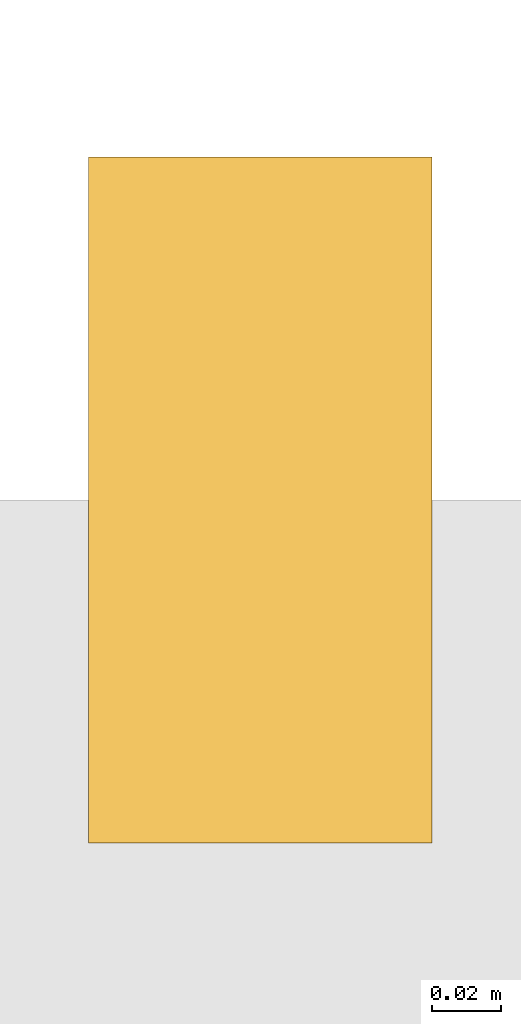
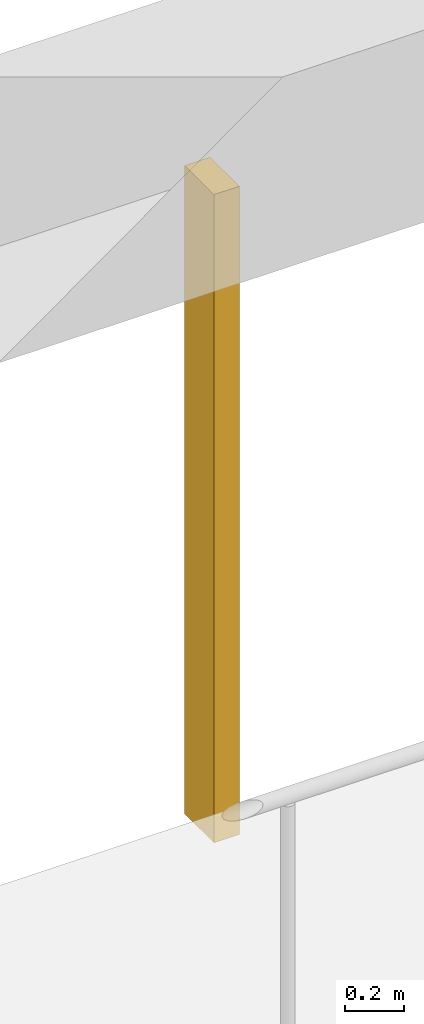
# One storey, part 15 of 19: 1 shading device.
"""IFC4 building model written with IfcOpenShell, lengths in metres."""

from ifc_helpers import new_model, si_unit, direction, frame, origin, origin_2d, place, context, subcontext, project, spatial, rectangle, extrude, material, material_profile, profile_set, type_object, element, save


model = new_model("IFC4")

# Units and contexts
model_context = context("Model", 3, precision=1e-05, world=origin(), true_north=direction((0.0, 1.0)))
body_context = subcontext(model_context, "Body", "Model", "MODEL_VIEW")
ifc_project = project(units=[si_unit("LENGTHUNIT", "METRE"), si_unit("AREAUNIT", "SQUARE_METRE"), si_unit("VOLUMEUNIT", "CUBIC_METRE"), si_unit("PLANEANGLEUNIT", "RADIAN"), si_unit("MASSUNIT", "GRAM", prefix="KILO")], contexts=[model_context])

# Site, building, storey
site_placement = place(None, origin())
site = spatial("IfcSite", under=ifc_project, at=site_placement, CompositionType="ELEMENT")
building_placement = place(site_placement, origin())
building = spatial("IfcBuilding", under=site, at=building_placement, Name="Vermilion Gate Residences", CompositionType="ELEMENT")
storey_placement = place(building_placement, frame((0.0, 0.0, 49.699951171875)))
storey = spatial("IfcBuildingStorey", under=building, at=storey_placement, Name="L11", CompositionType="ELEMENT", Elevation=49.699951171875)

# Shading device
ifc_material = material(Name="Extruded terracotta", Category="masonry")
ifc_material_profile = material_profile(ifc_material, rectangle(XDim=0.199951171875, YDim=0.10009765625, at=origin_2d()), Name="BAGUETTE 100 X 200")
ifc_profile_set = profile_set([ifc_material_profile], Name="Extruded terracotta")
shading_device_type = type_object("IfcShadingDeviceType", Name="TERRACOTTA BAGUETTE 100 X 200", PredefinedType="JALOUSIE", material=ifc_profile_set)
shading_device_placement = place(storey_placement, frame((63.0, 25.5, -0.280029296875), z_axis=(0.0, 0.0, 1.0), x_axis=(0.0, -1.0, 0.0)))
element("IfcShadingDevice", 1, at=shading_device_placement, inside=storey, type_object=shading_device_type, Name="BAGUETTE", PredefinedType="JALOUSIE", context=body_context, shape_type="SweptSolid", body=[
    extrude(rectangle(XDim=0.199951171875, YDim=0.10009765625, at=origin_2d()), origin(), (0.0, 0.0, 1.0), 2.7001953125),
])

save(model, "model.ifc")
